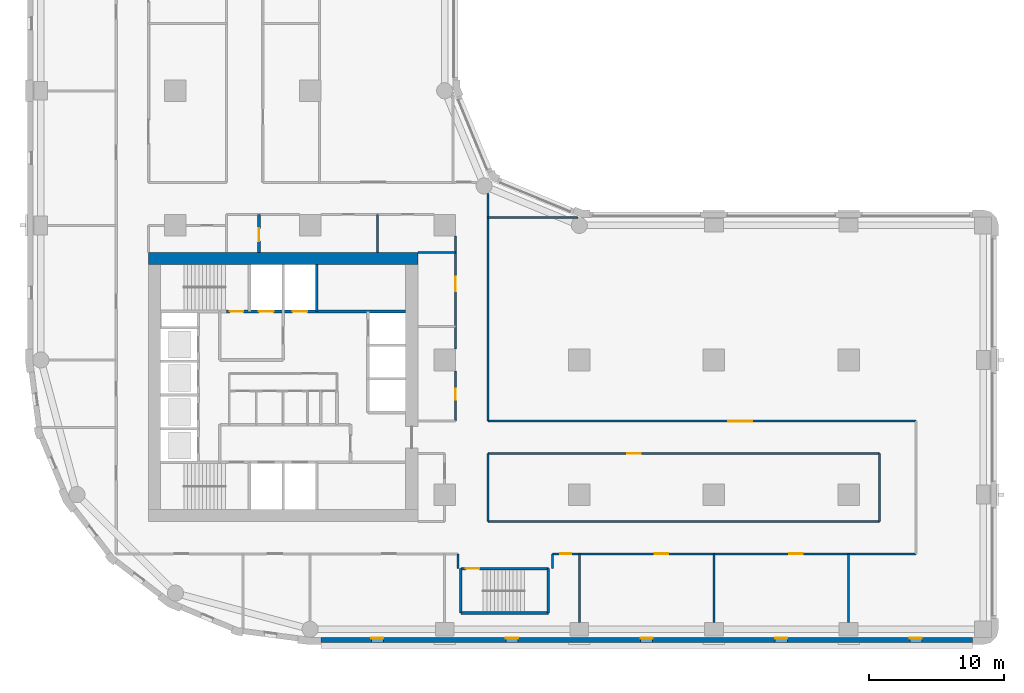
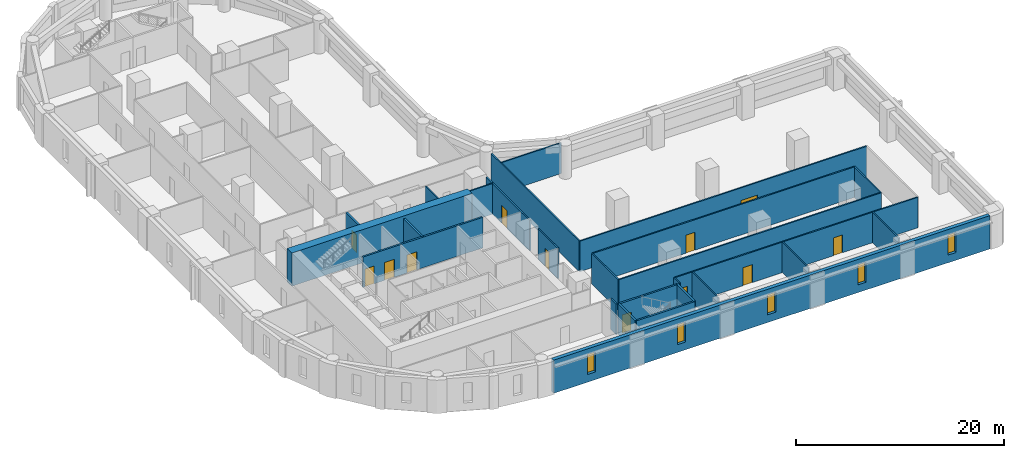
# One storey, part 4 of 10: 26 walls, 12 doors, 5 windows, 17 openings.
"""IFC4 building model written with IfcOpenShell, lengths in metres."""

from ifc_helpers import new_model, si_unit, direction, frame, frame_2d, origin, place, context, subcontext, project, spatial, rectangle, extrude, material, layer, layer_set, type_object, element, fill, save


model = new_model("IFC4")

# Units and contexts
model_context = context("Model", 3, precision=1e-05, world=origin(), true_north=direction((0.0, 1.0)))
body_context = subcontext(model_context, "Body", "Model", "MODEL_VIEW")
ifc_project = project(units=[si_unit("LENGTHUNIT", "METRE"), si_unit("AREAUNIT", "SQUARE_METRE"), si_unit("VOLUMEUNIT", "CUBIC_METRE"), si_unit("PLANEANGLEUNIT", "RADIAN"), si_unit("MASSUNIT", "GRAM", prefix="KILO")], contexts=[model_context])

# Site, building, storey
site_placement = place(None, origin())
site = spatial("IfcSite", under=ifc_project, at=site_placement, CompositionType="ELEMENT")
building_placement = place(site_placement, origin())
building = spatial("IfcBuilding", under=site, at=building_placement, Name="Qaws Garden Tower", CompositionType="ELEMENT")
storey_placement = place(building_placement, frame((0.0, 0.0, 97.800048828125)))
storey = spatial("IfcBuildingStorey", under=building, at=storey_placement, Name="L24", CompositionType="ELEMENT", Elevation=97.800048828125)

# Wall, opening, door
ifc_material_1 = material(Name="Blockwork", Category="masonry")
ifc_layer_1 = layer(ifc_material_1, 0.199951171875)
ifc_layer_set_1 = layer_set([ifc_layer_1], Name="Blockwork")
wall_type_1 = type_object("IfcWallType", Name="BLOCK WALL 200 EI 60", PredefinedType="PARTITIONING", material=ifc_layer_set_1)
wall_1_placement = place(storey_placement, frame((16.199951171875, 28.0, 0.0), z_axis=(0.0, 0.0, 1.0), x_axis=(0.0, 1.0, 0.0)))
wall_1 = element("IfcWall", 1, at=wall_1_placement, inside=storey, type_object=wall_type_1, Name="O-L24-wall-063", PredefinedType="PARTITIONING", context=body_context, shape_type="SweptSolid", body=[
    extrude(rectangle(XDim=2.800048828125, YDim=0.199951171875, at=frame_2d((1.39990234375, 0.0))), origin(), (0.0, 0.0, 1.0), 3.579833984375),
])
opening_1_placement = place(wall_1_placement, frame((0.824951171875, 0.0, 0.0)))
opening_1 = element("IfcOpeningElement", 2, at=opening_1_placement, cuts=wall_1, Name="Opening A830", PredefinedType="OPENING", context=body_context, shape_type="SweptSolid", body=[
    extrude(rectangle(XDim=0.949951171875, YDim=2.10009765625, at=frame_2d((0.47509765625, 1.050048828125))), frame((0.0, 0.10986328125, 0.0), z_axis=(0.0, -1.0, 0.0), x_axis=(1.0, 0.0, 0.0)), (0.0, 0.0, 1.0), 0.219970703125),
])
ifc_material_2 = material(Name="Timber and glass door leaf", Category="wood")
door_type_1 = type_object("IfcDoorType", Name="GLAZED DOOR 950 X 2100", OperationType="SINGLE_SWING_LEFT", PredefinedType="DOOR", material=ifc_material_2)
door_1_placement = place(opening_1_placement, origin())
door_1 = element("IfcDoor", 3, at=door_1_placement, inside=storey, type_object=door_type_1, Name="O-L24-door-030", OperationType="SINGLE_SWING_LEFT", OverallHeight=2.10009765625, OverallWidth=0.949951171875, PredefinedType="DOOR", context=body_context, shape_type="SweptSolid", body=[
    extrude(rectangle(XDim=0.949951171875, YDim=2.10009765625, at=frame_2d((0.47509765625, 1.050048828125))), frame((0.0, 0.02490234375, 0.0), z_axis=(0.0, -1.0, 0.0), x_axis=(1.0, 0.0, 0.0)), (0.0, 0.0, 1.0), 0.050048828125),
])
fill(opening_1, door_1)

# Wall, openings, windows
ifc_material_3 = material(Name="Clay facing brick masonry", Category="masonry")
ifc_layer_2 = layer(ifc_material_3, 0.39990234375)
ifc_layer_set_2 = layer_set([ifc_layer_2], Name="Clay facing brick masonry")
wall_type_2 = type_object("IfcWallType", Name="Brick infill wall 400", PredefinedType="SOLIDWALL", material=ifc_layer_set_2)
wall_2_placement = place(storey_placement, frame((20.800048828125, -0.800048828125, 0.0), z_axis=(0.0, 0.0, 1.0), x_axis=(1.0, 0.0, 0.0)))
wall_2 = element("IfcWall", 4, at=wall_2_placement, inside=storey, type_object=wall_type_2, Name="E-L24-infill-00", PredefinedType="SOLIDWALL", context=body_context, shape_type="SweptSolid", body=[
    extrude(rectangle(XDim=48.39990234375, YDim=0.39990234375, at=frame_2d((24.199951171875, 0.0))), origin(), (0.0, 0.0, 1.0), 3.89990234375),
])
opening_2_placement = place(wall_2_placement, frame((3.75, 0.0, 0.89990234375)))
opening_2 = element("IfcOpeningElement", 5, at=opening_2_placement, cuts=wall_2, Name="Opening W09", PredefinedType="OPENING", context=body_context, shape_type="SweptSolid", body=[
    extrude(rectangle(XDim=0.89990234375, YDim=2.35009765625, at=frame_2d((0.449951171875, 1.175048828125))), frame((0.0, 0.2099609375, 0.0), z_axis=(0.0, -1.0, 0.0), x_axis=(1.0, 0.0, 0.0)), (0.0, 0.0, 1.0), 0.419921875),
])
opening_3_placement = place(wall_2_placement, frame((13.75, 0.0, 0.89990234375)))
opening_3 = element("IfcOpeningElement", 6, at=opening_3_placement, cuts=wall_2, Name="Opening W09", PredefinedType="OPENING", context=body_context, shape_type="SweptSolid", body=[
    extrude(rectangle(XDim=0.89990234375, YDim=2.35009765625, at=frame_2d((0.449951171875, 1.175048828125))), frame((0.0, 0.2099609375, 0.0), z_axis=(0.0, -1.0, 0.0), x_axis=(1.0, 0.0, 0.0)), (0.0, 0.0, 1.0), 0.419921875),
])
opening_4_placement = place(wall_2_placement, frame((23.75, 0.0, 0.89990234375)))
opening_4 = element("IfcOpeningElement", 7, at=opening_4_placement, cuts=wall_2, Name="Opening W09", PredefinedType="OPENING", context=body_context, shape_type="SweptSolid", body=[
    extrude(rectangle(XDim=0.89990234375, YDim=2.35009765625, at=frame_2d((0.449951171875, 1.175048828125))), frame((0.0, 0.2099609375, 0.0), z_axis=(0.0, -1.0, 0.0), x_axis=(1.0, 0.0, 0.0)), (0.0, 0.0, 1.0), 0.419921875),
])
opening_5_placement = place(wall_2_placement, frame((33.75, 0.0, 0.89990234375)))
opening_5 = element("IfcOpeningElement", 8, at=opening_5_placement, cuts=wall_2, Name="Opening W09", PredefinedType="OPENING", context=body_context, shape_type="SweptSolid", body=[
    extrude(rectangle(XDim=0.89990234375, YDim=2.35009765625, at=frame_2d((0.449951171875, 1.175048828125))), frame((0.0, 0.2099609375, 0.0), z_axis=(0.0, -1.0, 0.0), x_axis=(1.0, 0.0, 0.0)), (0.0, 0.0, 1.0), 0.419921875),
])
opening_6_placement = place(wall_2_placement, frame((43.75, 0.0, 0.89990234375)))
opening_6 = element("IfcOpeningElement", 9, at=opening_6_placement, cuts=wall_2, Name="Opening W09", PredefinedType="OPENING", context=body_context, shape_type="SweptSolid", body=[
    extrude(rectangle(XDim=0.89990234375, YDim=2.35009765625, at=frame_2d((0.449951171875, 1.175048828125))), frame((0.0, 0.2099609375, 0.0), z_axis=(0.0, -1.0, 0.0), x_axis=(1.0, 0.0, 0.0)), (0.0, 0.0, 1.0), 0.419921875),
])
ifc_material_4 = material(Name="Aluminium framed window, clear glazing", Category="aluminium")
window_type = type_object("IfcWindowType", Name="Slit window 900 x 2350", PartitioningType="SINGLE_PANEL", PredefinedType="WINDOW", material=ifc_material_4)
window_1_placement = place(opening_2_placement, origin())
window_1 = element("IfcWindow", 10, at=window_1_placement, inside=storey, type_object=window_type, Name="E-L24-window-00-0", OverallHeight=2.35009765625, OverallWidth=0.89990234375, PartitioningType="SINGLE_PANEL", PredefinedType="WINDOW", context=body_context, shape_type="SweptSolid", body=[
    extrude(rectangle(XDim=0.89990234375, YDim=2.35009765625, at=frame_2d((0.449951171875, 1.175048828125))), frame((0.0, 0.159912109375, 0.0), z_axis=(0.0, -1.0, 0.0), x_axis=(1.0, 0.0, 0.0)), (0.0, 0.0, 1.0), 0.06005859375),
])
fill(opening_2, window_1)
window_2_placement = place(opening_3_placement, origin())
window_2 = element("IfcWindow", 11, at=window_2_placement, inside=storey, type_object=window_type, Name="E-L24-window-01-0", OverallHeight=2.35009765625, OverallWidth=0.89990234375, PartitioningType="SINGLE_PANEL", PredefinedType="WINDOW", context=body_context, shape_type="SweptSolid", body=[
    extrude(rectangle(XDim=0.89990234375, YDim=2.35009765625, at=frame_2d((0.449951171875, 1.175048828125))), frame((0.0, 0.159912109375, 0.0), z_axis=(0.0, -1.0, 0.0), x_axis=(1.0, 0.0, 0.0)), (0.0, 0.0, 1.0), 0.06005859375),
])
fill(opening_3, window_2)
window_3_placement = place(opening_4_placement, origin())
window_3 = element("IfcWindow", 12, at=window_3_placement, inside=storey, type_object=window_type, Name="E-L24-window-02-0", OverallHeight=2.35009765625, OverallWidth=0.89990234375, PartitioningType="SINGLE_PANEL", PredefinedType="WINDOW", context=body_context, shape_type="SweptSolid", body=[
    extrude(rectangle(XDim=0.89990234375, YDim=2.35009765625, at=frame_2d((0.449951171875, 1.175048828125))), frame((0.0, 0.159912109375, 0.0), z_axis=(0.0, -1.0, 0.0), x_axis=(1.0, 0.0, 0.0)), (0.0, 0.0, 1.0), 0.06005859375),
])
fill(opening_4, window_3)
window_4_placement = place(opening_5_placement, origin())
window_4 = element("IfcWindow", 13, at=window_4_placement, inside=storey, type_object=window_type, Name="E-L24-window-03-0", OverallHeight=2.35009765625, OverallWidth=0.89990234375, PartitioningType="SINGLE_PANEL", PredefinedType="WINDOW", context=body_context, shape_type="SweptSolid", body=[
    extrude(rectangle(XDim=0.89990234375, YDim=2.35009765625, at=frame_2d((0.449951171875, 1.175048828125))), frame((0.0, 0.159912109375, 0.0), z_axis=(0.0, -1.0, 0.0), x_axis=(1.0, 0.0, 0.0)), (0.0, 0.0, 1.0), 0.06005859375),
])
fill(opening_5, window_4)
window_5_placement = place(opening_6_placement, origin())
window_5 = element("IfcWindow", 14, at=window_5_placement, inside=storey, type_object=window_type, Name="E-L24-window-04-0", OverallHeight=2.35009765625, OverallWidth=0.89990234375, PartitioningType="SINGLE_PANEL", PredefinedType="WINDOW", context=body_context, shape_type="SweptSolid", body=[
    extrude(rectangle(XDim=0.89990234375, YDim=2.35009765625, at=frame_2d((0.449951171875, 1.175048828125))), frame((0.0, 0.159912109375, 0.0), z_axis=(0.0, -1.0, 0.0), x_axis=(1.0, 0.0, 0.0)), (0.0, 0.0, 1.0), 0.06005859375),
])
fill(opening_6, window_5)

# Wall
ifc_material_5 = material(Name="Concrete C80", Category="concrete")
ifc_layer_3 = layer(ifc_material_5, 0.199951171875)
ifc_layer_set_3 = layer_set([ifc_layer_3], Name="Concrete C80")
wall_type_3 = type_object("IfcWallType", Name="Core shaft wall 200 C80", PredefinedType="SHEAR", material=ifc_layer_set_3)
wall_3_placement = place(storey_placement, frame((31.199951171875, 1.199951171875, 0.0), z_axis=(0.0, 0.0, 1.0), x_axis=(1.0, 0.0, 0.0)))
element("IfcWall", 15, at=wall_3_placement, inside=storey, type_object=wall_type_3, Name="Shaft wall", PredefinedType="SHEAR", context=body_context, shape_type="SweptSolid", body=[
    extrude(rectangle(XDim=6.5, YDim=0.199951171875, at=frame_2d((3.25, 0.0))), origin(), (0.0, 0.0, 1.0), 3.579833984375),
])

# Wall, opening, door
wall_4_placement = place(storey_placement, frame((31.199951171875, 4.5, 0.0), z_axis=(0.0, 0.0, 1.0), x_axis=(1.0, 0.0, 0.0)))
wall_4 = element("IfcWall", 16, at=wall_4_placement, inside=storey, type_object=wall_type_3, Name="Shaft wall", PredefinedType="SHEAR", context=body_context, shape_type="SweptSolid", body=[
    extrude(rectangle(XDim=6.5, YDim=0.199951171875, at=frame_2d((3.25, 0.0))), origin(), (0.0, 0.0, 1.0), 3.579833984375),
])
opening_7_placement = place(wall_4_placement, frame((0.375, 0.0, 0.0)))
opening_7 = element("IfcOpeningElement", 17, at=opening_7_placement, cuts=wall_4, Name="Opening SD12", PredefinedType="OPENING", context=body_context, shape_type="SweptSolid", body=[
    extrude(rectangle(XDim=1.0, YDim=2.10009765625, at=frame_2d((0.5, 1.050048828125))), frame((0.0, 0.10986328125, 0.0), z_axis=(0.0, -1.0, 0.0), x_axis=(1.0, 0.0, 0.0)), (0.0, 0.0, 1.0), 0.219970703125),
])
ifc_material_6 = material(Name="Steel S235", Category="steel")
door_type_2 = type_object("IfcDoorType", Name="Stair door 1000x2100", OperationType="SINGLE_SWING_RIGHT", PredefinedType="DOOR", material=ifc_material_6)
door_2_placement = place(opening_7_placement, frame((1.0, 0.0, 0.0), z_axis=(0.0, 0.0, 1.0), x_axis=(-1.0, 0.0, 0.0)))
door_2 = element("IfcDoor", 18, at=door_2_placement, inside=storey, type_object=door_type_2, Name="Stair 5 door", OperationType="SINGLE_SWING_RIGHT", OverallHeight=2.10009765625, OverallWidth=1.0, PredefinedType="DOOR", context=body_context, shape_type="SweptSolid", body=[
    extrude(rectangle(XDim=1.0, YDim=2.10009765625, at=frame_2d((0.5, 1.050048828125))), frame((0.0, 0.02490234375, 0.0), z_axis=(0.0, -1.0, 0.0), x_axis=(1.0, 0.0, 0.0)), (0.0, 0.0, 1.0), 0.050048828125),
])
fill(opening_7, door_2)

# Wall, openings, doors
wall_5_placement = place(storey_placement, frame((13.800048828125, 23.60009765625, 0.0), z_axis=(0.0, 0.0, 1.0), x_axis=(1.0, 0.0, 0.0)))
wall_5 = element("IfcWall", 19, at=wall_5_placement, inside=storey, type_object=wall_type_3, Name="Shaft wall", PredefinedType="SHEAR", context=body_context, shape_type="SweptSolid", body=[
    extrude(rectangle(XDim=13.300048828125, YDim=0.199951171875, at=frame_2d((6.64990234375, 0.0))), origin(), (0.0, 0.0, 1.0), 3.579833984375),
])
opening_8_placement = place(wall_5_placement, frame((2.39990234375, 0.0, 0.0)))
opening_8 = element("IfcOpeningElement", 20, at=opening_8_placement, cuts=wall_5, Name="Opening LD08", PredefinedType="OPENING", context=body_context, shape_type="SweptSolid", body=[
    extrude(rectangle(XDim=1.10009765625, YDim=2.10009765625, at=frame_2d((0.550048828125, 1.050048828125))), frame((0.0, 0.10986328125, 0.0), z_axis=(0.0, -1.0, 0.0), x_axis=(1.0, 0.0, 0.0)), (0.0, 0.0, 1.0), 0.219970703125),
])
opening_9_placement = place(wall_5_placement, frame((4.89990234375, 0.0, 0.0)))
opening_9 = element("IfcOpeningElement", 21, at=opening_9_placement, cuts=wall_5, Name="Opening LD09", PredefinedType="OPENING", context=body_context, shape_type="SweptSolid", body=[
    extrude(rectangle(XDim=1.10009765625, YDim=2.10009765625, at=frame_2d((0.550048828125, 1.050048828125))), frame((0.0, 0.10986328125, 0.0), z_axis=(0.0, -1.0, 0.0), x_axis=(1.0, 0.0, 0.0)), (0.0, 0.0, 1.0), 0.219970703125),
])
opening_10_placement = place(wall_5_placement, frame((0.25, 0.0, 0.0)))
opening_10 = element("IfcOpeningElement", 22, at=opening_10_placement, cuts=wall_5, Name="Opening SD11", PredefinedType="OPENING", context=body_context, shape_type="SweptSolid", body=[
    extrude(rectangle(XDim=1.0, YDim=2.10009765625, at=frame_2d((0.5, 1.050048828125))), frame((0.0, 0.10986328125, 0.0), z_axis=(0.0, -1.0, 0.0), x_axis=(1.0, 0.0, 0.0)), (0.0, 0.0, 1.0), 0.219970703125),
])
ifc_material_7 = material(Name="Steel S235", Category="steel")
door_type_3 = type_object("IfcDoorType", Name="Landing door 1100x2100", OperationType="DOUBLE_DOOR_SLIDING", PredefinedType="DOOR", material=ifc_material_7)
door_3_placement = place(opening_8_placement, origin())
door_3 = element("IfcDoor", 23, at=door_3_placement, inside=storey, type_object=door_type_3, Name="Lift FF3 landing door", OperationType="DOUBLE_DOOR_SLIDING", OverallHeight=2.10009765625, OverallWidth=1.10009765625, PredefinedType="DOOR", context=body_context, shape_type="SweptSolid", body=[
    extrude(rectangle(XDim=1.10009765625, YDim=2.10009765625, at=frame_2d((0.550048828125, 1.050048828125))), frame((0.0, 0.02490234375, 0.0), z_axis=(0.0, -1.0, 0.0), x_axis=(1.0, 0.0, 0.0)), (0.0, 0.0, 1.0), 0.050048828125),
])
fill(opening_8, door_3)
door_4_placement = place(opening_9_placement, origin())
door_4 = element("IfcDoor", 24, at=door_4_placement, inside=storey, type_object=door_type_3, Name="Lift SV2 landing door", OperationType="DOUBLE_DOOR_SLIDING", OverallHeight=2.10009765625, OverallWidth=1.10009765625, PredefinedType="DOOR", context=body_context, shape_type="SweptSolid", body=[
    extrude(rectangle(XDim=1.10009765625, YDim=2.10009765625, at=frame_2d((0.550048828125, 1.050048828125))), frame((0.0, 0.02490234375, 0.0), z_axis=(0.0, -1.0, 0.0), x_axis=(1.0, 0.0, 0.0)), (0.0, 0.0, 1.0), 0.050048828125),
])
fill(opening_9, door_4)
door_5_placement = place(opening_10_placement, origin())
door_5 = element("IfcDoor", 25, at=door_5_placement, inside=storey, type_object=door_type_2, Name="Stair 4 door", OperationType="SINGLE_SWING_RIGHT", OverallHeight=2.10009765625, OverallWidth=1.0, PredefinedType="DOOR", context=body_context, shape_type="SweptSolid", body=[
    extrude(rectangle(XDim=1.0, YDim=2.10009765625, at=frame_2d((0.5, 1.050048828125))), frame((0.0, 0.02490234375, 0.0), z_axis=(0.0, -1.0, 0.0), x_axis=(1.0, 0.0, 0.0)), (0.0, 0.0, 1.0), 0.050048828125),
])
fill(opening_10, door_5)

# Walls
wall_6_placement = place(storey_placement, frame((20.5, 23.60009765625, 0.0), z_axis=(0.0, 0.0, 1.0), x_axis=(0.0, 1.0, 0.0)))
element("IfcWall", 26, at=wall_6_placement, inside=storey, type_object=wall_type_3, Name="Shaft wall", PredefinedType="SHEAR", context=body_context, shape_type="SweptSolid", body=[
    extrude(rectangle(XDim=3.5, YDim=0.199951171875, at=frame_2d((1.75, 0.0))), origin(), (0.0, 0.0, 1.0), 3.579833984375),
])
for number, where, z_axis, x_axis, name in (
    (27, (31.199951171875, 1.199951171875, 0.0), (0.0, 0.0, 1.0), (0.0, 1.0, 0.0), "Shaft wall"),
    (28, (37.699951171875, 1.199951171875, 0.0), (0.0, 0.0, 1.0), (0.0, 1.0, 0.0), "Shaft wall"),
):
    element("IfcWall", number, at=place(storey_placement, frame(where, z_axis=z_axis, x_axis=x_axis)), inside=storey, type_object=wall_type_3, Name=name, PredefinedType="SHEAR", context=body_context, shape_type="SweptSolid", body=[
        extrude(rectangle(XDim=3.300048828125, YDim=0.199951171875, at=frame_2d((1.64990234375, 0.0))), origin(), (0.0, 0.0, 1.0), 3.579833984375),
    ])
ifc_material_8 = material(Name="Concrete C80", Category="concrete")
ifc_layer_4 = layer(ifc_material_8, 0.89990234375)
ifc_layer_set_4 = layer_set([ifc_layer_4], Name="Concrete C80")
wall_type_4 = type_object("IfcWallType", Name="Core wall 900 C80", PredefinedType="SHEAR", material=ifc_layer_set_4)
wall_7_placement = place(storey_placement, frame((28.0, 27.550048828125, 0.0), z_axis=(0.0, 0.0, 1.0), x_axis=(-1.0, 0.0, 0.0)))
element("IfcWall", 29, at=wall_7_placement, inside=storey, type_object=wall_type_4, Name="Core wall L24 north", PredefinedType="SHEAR", context=body_context, shape_type="SweptSolid", body=[
    extrude(rectangle(XDim=20.0, YDim=0.89990234375, at=frame_2d((10.0, 0.0))), origin(), (0.0, 0.0, 1.0), 3.89990234375),
])
ifc_material_9 = material(Name="Gypsum board partition")
ifc_layer_5 = layer(ifc_material_9, 0.14990234375)
ifc_layer_set_5 = layer_set([ifc_layer_5], Name="Gypsum board partition")
wall_type_5 = type_object("IfcWallType", Name="PARTITION 150 EI 60", PredefinedType="PARTITIONING", material=ifc_layer_set_5)
wall_8_placement = place(storey_placement, frame((25.0, 28.0, 0.0), z_axis=(0.0, 0.0, 1.0), x_axis=(0.0, 1.0, 0.0)))
element("IfcWall", 30, at=wall_8_placement, inside=storey, type_object=wall_type_5, Name="O-L24-wall-014", PredefinedType="PARTITIONING", context=body_context, shape_type="SweptSolid", body=[
    extrude(rectangle(XDim=2.800048828125, YDim=0.14990234375, at=frame_2d((1.39990234375, 0.0))), origin(), (0.0, 0.0, 1.0), 3.579833984375),
])

# Wall, opening, door
wall_9_placement = place(storey_placement, frame((30.800048828125, 15.449951171875, 0.0), z_axis=(0.0, 0.0, 1.0), x_axis=(0.0, 1.0, 0.0)))
wall_9 = element("IfcWall", 31, at=wall_9_placement, inside=storey, type_object=wall_type_5, Name="O-L24-wall-020", PredefinedType="PARTITIONING", context=body_context, shape_type="SweptSolid", body=[
    extrude(rectangle(XDim=3.75, YDim=0.14990234375, at=frame_2d((1.875, 0.0))), origin(), (0.0, 0.0, 1.0), 3.579833984375),
])
opening_11_placement = place(wall_9_placement, frame((1.60009765625, 0.0, 0.0)))
opening_11 = element("IfcOpeningElement", 32, at=opening_11_placement, cuts=wall_9, Name="Opening A808", PredefinedType="OPENING", context=body_context, shape_type="SweptSolid", body=[
    extrude(rectangle(XDim=0.800048828125, YDim=2.10009765625, at=frame_2d((0.39990234375, 1.050048828125))), frame((0.0, 0.0849609375, 0.0), z_axis=(0.0, -1.0, 0.0), x_axis=(1.0, 0.0, 0.0)), (0.0, 0.0, 1.0), 0.169921875),
])
ifc_material_10 = material(Name="Timber door leaf", Category="wood")
door_type_4 = type_object("IfcDoorType", Name="STORE DOOR 800 X 2100", OperationType="SINGLE_SWING_LEFT", PredefinedType="DOOR", material=ifc_material_10)
door_6_placement = place(opening_11_placement, origin())
door_6 = element("IfcDoor", 33, at=door_6_placement, inside=storey, type_object=door_type_4, Name="O-L24-door-008", OperationType="SINGLE_SWING_RIGHT", OverallHeight=2.10009765625, OverallWidth=0.800048828125, PredefinedType="DOOR", context=body_context, shape_type="SweptSolid", body=[
    extrude(rectangle(XDim=0.800048828125, YDim=2.10009765625, at=frame_2d((0.39990234375, 1.050048828125))), frame((0.0, 0.02490234375, 0.0), z_axis=(0.0, -1.0, 0.0), x_axis=(1.0, 0.0, 0.0)), (0.0, 0.0, 1.0), 0.050048828125),
])
fill(opening_11, door_6)

wall_10_placement = place(storey_placement, frame((30.800048828125, 20.800048828125, 0.0), z_axis=(0.0, 0.0, 1.0), x_axis=(0.0, 1.0, 0.0)))
wall_10 = element("IfcWall", 34, at=wall_10_placement, inside=storey, type_object=wall_type_5, Name="O-L24-wall-021", PredefinedType="PARTITIONING", context=body_context, shape_type="SweptSolid", body=[
    extrude(rectangle(XDim=8.39990234375, YDim=0.14990234375, at=frame_2d((4.199951171875, 0.0))), origin(), (0.0, 0.0, 1.0), 3.579833984375),
])
opening_12_placement = place(wall_10_placement, frame((4.300048828125, 0.0, 0.0)))
opening_12 = element("IfcOpeningElement", 35, at=opening_12_placement, cuts=wall_10, Name="Opening A809", PredefinedType="OPENING", context=body_context, shape_type="SweptSolid", body=[
    extrude(rectangle(XDim=1.10009765625, YDim=2.10009765625, at=frame_2d((0.550048828125, 1.050048828125))), frame((0.0, 0.0849609375, 0.0), z_axis=(0.0, -1.0, 0.0), x_axis=(1.0, 0.0, 0.0)), (0.0, 0.0, 1.0), 0.169921875),
])
ifc_material_11 = material(Name="Timber door leaf", Category="wood")
door_type_5 = type_object("IfcDoorType", Name="SERVICE ROOM DOOR 1100 X 2100", OperationType="SINGLE_SWING_LEFT", PredefinedType="DOOR", material=ifc_material_11)
door_7_placement = place(opening_12_placement, origin())
door_7 = element("IfcDoor", 36, at=door_7_placement, inside=storey, type_object=door_type_5, Name="O-L24-door-009", OperationType="SINGLE_SWING_RIGHT", OverallHeight=2.10009765625, OverallWidth=1.10009765625, PredefinedType="DOOR", context=body_context, shape_type="SweptSolid", body=[
    extrude(rectangle(XDim=1.10009765625, YDim=2.10009765625, at=frame_2d((0.550048828125, 1.050048828125))), frame((0.0, 0.02490234375, 0.0), z_axis=(0.0, -1.0, 0.0), x_axis=(1.0, 0.0, 0.0)), (0.0, 0.0, 1.0), 0.050048828125),
])
fill(opening_12, door_7)

# Walls
wall_11_placement = place(storey_placement, frame((31.0, 4.5, 0.0), z_axis=(0.0, 0.0, 1.0), x_axis=(0.0, 1.0, 0.0)))
element("IfcWall", 37, at=wall_11_placement, inside=storey, type_object=wall_type_5, Name="O-L24-wall-022", PredefinedType="PARTITIONING", context=body_context, shape_type="SweptSolid", body=[
    extrude(rectangle(XDim=1.10009765625, YDim=0.14990234375, at=frame_2d((0.550048828125, 0.0))), origin(), (0.0, 0.0, 1.0), 3.579833984375),
])
wall_12_placement = place(storey_placement, frame((33.199951171875, 8.0, 0.0), z_axis=(0.0, 0.0, 1.0), x_axis=(0.0, 1.0, 0.0)))
element("IfcWall", 38, at=wall_12_placement, inside=storey, type_object=wall_type_5, Name="O-L24-wall-023", PredefinedType="PARTITIONING", context=body_context, shape_type="SweptSolid", body=[
    extrude(rectangle(XDim=5.050048828125, YDim=0.14990234375, at=frame_2d((2.52490234375, 0.0))), origin(), (0.0, 0.0, 1.0), 3.579833984375),
])
wall_13_placement = place(storey_placement, frame((33.199951171875, 15.449951171875, 0.0), z_axis=(0.0, 0.0, 1.0), x_axis=(0.0, 1.0, 0.0)))
element("IfcWall", 39, at=wall_13_placement, inside=storey, type_object=wall_type_5, Name="O-L24-wall-024", PredefinedType="PARTITIONING", context=body_context, shape_type="SweptSolid", body=[
    extrude(rectangle(XDim=16.912109375, YDim=0.14990234375, at=frame_2d((8.4560546875, 0.0))), origin(), (0.0, 0.0, 1.0), 3.579833984375),
])
wall_14_placement = place(storey_placement, frame((38.0, 4.5, 0.0), z_axis=(0.0, 0.0, 1.0), x_axis=(0.0, 1.0, 0.0)))
element("IfcWall", 40, at=wall_14_placement, inside=storey, type_object=wall_type_5, Name="O-L24-wall-025", PredefinedType="PARTITIONING", context=body_context, shape_type="SweptSolid", body=[
    extrude(rectangle(XDim=1.10009765625, YDim=0.14990234375, at=frame_2d((0.550048828125, 0.0))), origin(), (0.0, 0.0, 1.0), 3.579833984375),
])
for number, where, z_axis, x_axis, name in (
    (41, (40.0, 0.5, 0.0), (0.0, 0.0, 1.0), (0.0, 1.0, 0.0), "O-L24-wall-026"),
    (42, (50.0, 0.5, 0.0), (0.0, 0.0, 1.0), (0.0, 1.0, 0.0), "O-L24-wall-027"),
    (43, (60.0, 0.5, 0.0), (0.0, 0.0, 1.0), (0.0, 1.0, 0.0), "O-L24-wall-028"),
):
    element("IfcWall", number, at=place(storey_placement, frame(where, z_axis=z_axis, x_axis=x_axis)), inside=storey, type_object=wall_type_5, Name=name, PredefinedType="PARTITIONING", context=body_context, shape_type="SweptSolid", body=[
        extrude(rectangle(XDim=5.10009765625, YDim=0.14990234375, at=frame_2d((2.550048828125, 0.0))), origin(), (0.0, 0.0, 1.0), 3.579833984375),
    ])
wall_15_placement = place(storey_placement, frame((62.300048828125, 8.0, 0.0), z_axis=(0.0, 0.0, 1.0), x_axis=(0.0, 1.0, 0.0)))
element("IfcWall", 44, at=wall_15_placement, inside=storey, type_object=wall_type_5, Name="O-L24-wall-029", PredefinedType="PARTITIONING", context=body_context, shape_type="SweptSolid", body=[
    extrude(rectangle(XDim=5.050048828125, YDim=0.14990234375, at=frame_2d((2.52490234375, 0.0))), origin(), (0.0, 0.0, 1.0), 3.579833984375),
])

# Wall, openings, doors
wall_16_placement = place(storey_placement, frame((38.0, 5.60009765625, 0.0), z_axis=(0.0, 0.0, 1.0), x_axis=(1.0, 0.0, 0.0)))
wall_16 = element("IfcWall", 45, at=wall_16_placement, inside=storey, type_object=wall_type_5, Name="O-L24-wall-032", PredefinedType="PARTITIONING", context=body_context, shape_type="SweptSolid", body=[
    extrude(rectangle(XDim=27.0, YDim=0.14990234375, at=frame_2d((13.5, 0.0))), origin(), (0.0, 0.0, 1.0), 3.579833984375),
])
opening_13_placement = place(wall_16_placement, frame((7.60009765625, 0.0, 0.0)))
opening_13 = element("IfcOpeningElement", 46, at=opening_13_placement, cuts=wall_16, Name="Opening A803", PredefinedType="OPENING", context=body_context, shape_type="SweptSolid", body=[
    extrude(rectangle(XDim=1.0, YDim=2.10009765625, at=frame_2d((0.5, 1.050048828125))), frame((0.0, 0.0849609375, 0.0), z_axis=(0.0, -1.0, 0.0), x_axis=(1.0, 0.0, 0.0)), (0.0, 0.0, 1.0), 0.169921875),
])
opening_14_placement = place(wall_16_placement, frame((17.60009765625, 0.0, 0.0)))
opening_14 = element("IfcOpeningElement", 47, at=opening_14_placement, cuts=wall_16, Name="Opening A804", PredefinedType="OPENING", context=body_context, shape_type="SweptSolid", body=[
    extrude(rectangle(XDim=1.0, YDim=2.10009765625, at=frame_2d((0.5, 1.050048828125))), frame((0.0, 0.0849609375, 0.0), z_axis=(0.0, -1.0, 0.0), x_axis=(1.0, 0.0, 0.0)), (0.0, 0.0, 1.0), 0.169921875),
])
opening_15_placement = place(wall_16_placement, frame((0.60009765625, 0.0, 0.0)))
opening_15 = element("IfcOpeningElement", 48, at=opening_15_placement, cuts=wall_16, Name="Opening A829", PredefinedType="OPENING", context=body_context, shape_type="SweptSolid", body=[
    extrude(rectangle(XDim=0.800048828125, YDim=2.10009765625, at=frame_2d((0.39990234375, 1.050048828125))), frame((0.0, 0.0849609375, 0.0), z_axis=(0.0, -1.0, 0.0), x_axis=(1.0, 0.0, 0.0)), (0.0, 0.0, 1.0), 0.169921875),
])
door_8_placement = place(opening_15_placement, frame((0.800048828125, 0.0, 0.0), z_axis=(0.0, 0.0, 1.0), x_axis=(-1.0, 0.0, 0.0)))
door_8 = element("IfcDoor", 49, at=door_8_placement, inside=storey, type_object=door_type_4, Name="O-L24-door-029", OperationType="SINGLE_SWING_RIGHT", OverallHeight=2.10009765625, OverallWidth=0.800048828125, PredefinedType="DOOR", context=body_context, shape_type="SweptSolid", body=[
    extrude(rectangle(XDim=0.800048828125, YDim=2.10009765625, at=frame_2d((0.39990234375, 1.050048828125))), frame((0.0, 0.02490234375, 0.0), z_axis=(0.0, -1.0, 0.0), x_axis=(1.0, 0.0, 0.0)), (0.0, 0.0, 1.0), 0.050048828125),
])
fill(opening_15, door_8)
ifc_material_12 = material(Name="Timber door leaf", Category="wood")
door_type_6 = type_object("IfcDoorType", Name="TENANCY ENTRANCE DOOR 1000 X 2100", OperationType="SINGLE_SWING_LEFT", PredefinedType="DOOR", material=ifc_material_12)
door_9_placement = place(opening_13_placement, frame((1.0, 0.0, 0.0), z_axis=(0.0, 0.0, 1.0), x_axis=(-1.0, 0.0, 0.0)))
door_9 = element("IfcDoor", 50, at=door_9_placement, inside=storey, type_object=door_type_6, Name="O-L24-door-003", OperationType="SINGLE_SWING_RIGHT", OverallHeight=2.10009765625, OverallWidth=1.0, PredefinedType="DOOR", context=body_context, shape_type="SweptSolid", body=[
    extrude(rectangle(XDim=1.0, YDim=2.10009765625, at=frame_2d((0.5, 1.050048828125))), frame((0.0, 0.02490234375, 0.0), z_axis=(0.0, -1.0, 0.0), x_axis=(1.0, 0.0, 0.0)), (0.0, 0.0, 1.0), 0.050048828125),
])
fill(opening_13, door_9)
door_10_placement = place(opening_14_placement, frame((1.0, 0.0, 0.0), z_axis=(0.0, 0.0, 1.0), x_axis=(-1.0, 0.0, 0.0)))
door_10 = element("IfcDoor", 51, at=door_10_placement, inside=storey, type_object=door_type_6, Name="O-L24-door-004", OperationType="SINGLE_SWING_RIGHT", OverallHeight=2.10009765625, OverallWidth=1.0, PredefinedType="DOOR", context=body_context, shape_type="SweptSolid", body=[
    extrude(rectangle(XDim=1.0, YDim=2.10009765625, at=frame_2d((0.5, 1.050048828125))), frame((0.0, 0.02490234375, 0.0), z_axis=(0.0, -1.0, 0.0), x_axis=(1.0, 0.0, 0.0)), (0.0, 0.0, 1.0), 0.050048828125),
])
fill(opening_14, door_10)

# Wall
wall_17_placement = place(storey_placement, frame((33.199951171875, 8.0, 0.0), z_axis=(0.0, 0.0, 1.0), x_axis=(1.0, 0.0, 0.0)))
element("IfcWall", 52, at=wall_17_placement, inside=storey, type_object=wall_type_5, Name="O-L24-wall-034", PredefinedType="PARTITIONING", context=body_context, shape_type="SweptSolid", body=[
    extrude(rectangle(XDim=29.10009765625, YDim=0.14990234375, at=frame_2d((14.550048828125, 0.0))), origin(), (0.0, 0.0, 1.0), 3.579833984375),
])

# Wall, opening, door
wall_18_placement = place(storey_placement, frame((33.199951171875, 13.050048828125, 0.0), z_axis=(0.0, 0.0, 1.0), x_axis=(1.0, 0.0, 0.0)))
wall_18 = element("IfcWall", 53, at=wall_18_placement, inside=storey, type_object=wall_type_5, Name="O-L24-wall-036", PredefinedType="PARTITIONING", context=body_context, shape_type="SweptSolid", body=[
    extrude(rectangle(XDim=29.10009765625, YDim=0.14990234375, at=frame_2d((14.550048828125, 0.0))), origin(), (0.0, 0.0, 1.0), 3.579833984375),
])
opening_16_placement = place(wall_18_placement, frame((10.35009765625, 0.0, 0.0)))
opening_16 = element("IfcOpeningElement", 54, at=opening_16_placement, cuts=wall_18, Name="Opening A805", PredefinedType="OPENING", context=body_context, shape_type="SweptSolid", body=[
    extrude(rectangle(XDim=1.0, YDim=2.10009765625, at=frame_2d((0.5, 1.050048828125))), frame((0.0, 0.0849609375, 0.0), z_axis=(0.0, -1.0, 0.0), x_axis=(1.0, 0.0, 0.0)), (0.0, 0.0, 1.0), 0.169921875),
])
door_11_placement = place(opening_16_placement, frame((1.0, 0.0, 0.0), z_axis=(0.0, 0.0, 1.0), x_axis=(-1.0, 0.0, 0.0)))
door_11 = element("IfcDoor", 55, at=door_11_placement, inside=storey, type_object=door_type_6, Name="O-L24-door-005", OperationType="SINGLE_SWING_RIGHT", OverallHeight=2.10009765625, OverallWidth=1.0, PredefinedType="DOOR", context=body_context, shape_type="SweptSolid", body=[
    extrude(rectangle(XDim=1.0, YDim=2.10009765625, at=frame_2d((0.5, 1.050048828125))), frame((0.0, 0.02490234375, 0.0), z_axis=(0.0, -1.0, 0.0), x_axis=(1.0, 0.0, 0.0)), (0.0, 0.0, 1.0), 0.050048828125),
])
fill(opening_16, door_11)

wall_19_placement = place(storey_placement, frame((33.199951171875, 15.449951171875, 0.0), z_axis=(0.0, 0.0, 1.0), x_axis=(1.0, 0.0, 0.0)))
wall_19 = element("IfcWall", 56, at=wall_19_placement, inside=storey, type_object=wall_type_5, Name="O-L24-wall-039", PredefinedType="PARTITIONING", context=body_context, shape_type="SweptSolid", body=[
    extrude(rectangle(XDim=31.800048828125, YDim=0.14990234375, at=frame_2d((15.89990234375, 0.0))), origin(), (0.0, 0.0, 1.0), 3.579833984375),
])
opening_17_placement = place(wall_19_placement, frame((17.85009765625, 0.0, 0.0)))
opening_17 = element("IfcOpeningElement", 57, at=opening_17_placement, cuts=wall_19, Name="Opening A806", PredefinedType="OPENING", context=body_context, shape_type="SweptSolid", body=[
    extrude(rectangle(XDim=1.800048828125, YDim=2.10009765625, at=frame_2d((0.89990234375, 1.050048828125))), frame((0.0, 0.0849609375, 0.0), z_axis=(0.0, -1.0, 0.0), x_axis=(1.0, 0.0, 0.0)), (0.0, 0.0, 1.0), 0.169921875),
])
ifc_material_13 = material(Name="Timber door leaf", Category="wood")
door_type_7 = type_object("IfcDoorType", Name="DOUBLE DOOR 1800 X 2100", OperationType="DOUBLE_DOOR_SINGLE_SWING", PredefinedType="DOOR", material=ifc_material_13)
door_12_placement = place(opening_17_placement, origin())
door_12 = element("IfcDoor", 58, at=door_12_placement, inside=storey, type_object=door_type_7, Name="O-L24-door-006", OperationType="DOUBLE_DOOR_SINGLE_SWING", OverallHeight=2.10009765625, OverallWidth=1.800048828125, PredefinedType="DOOR", context=body_context, shape_type="SweptSolid", body=[
    extrude(rectangle(XDim=1.800048828125, YDim=2.10009765625, at=frame_2d((0.89990234375, 1.050048828125))), frame((0.0, 0.02490234375, 0.0), z_axis=(0.0, -1.0, 0.0), x_axis=(1.0, 0.0, 0.0)), (0.0, 0.0, 1.0), 0.050048828125),
])
fill(opening_17, door_12)

# Walls
wall_20_placement = place(storey_placement, frame((28.0, 28.0, 0.0), z_axis=(0.0, 0.0, 1.0), x_axis=(1.0, 0.0, 0.0)))
element("IfcWall", 59, at=wall_20_placement, inside=storey, type_object=wall_type_5, Name="O-L24-wall-042", PredefinedType="PARTITIONING", context=body_context, shape_type="SweptSolid", body=[
    extrude(rectangle(XDim=2.800048828125, YDim=0.14990234375, at=frame_2d((1.39990234375, 0.0))), origin(), (0.0, 0.0, 1.0), 3.579833984375),
])
wall_21_placement = place(storey_placement, frame((33.199951171875, 30.60009765625, 0.0), z_axis=(0.0, 0.0, 1.0), x_axis=(1.0, 0.0, 0.0)))
element("IfcWall", 60, at=wall_21_placement, inside=storey, type_object=wall_type_5, Name="O-L24-wall-046", PredefinedType="PARTITIONING", context=body_context, shape_type="SweptSolid", body=[
    extrude(rectangle(XDim=6.698974609375, YDim=0.14990234375, at=frame_2d((3.349609375, 0.0))), origin(), (0.0, 0.0, 1.0), 3.579833984375),
])

save(model, "model.ifc")
